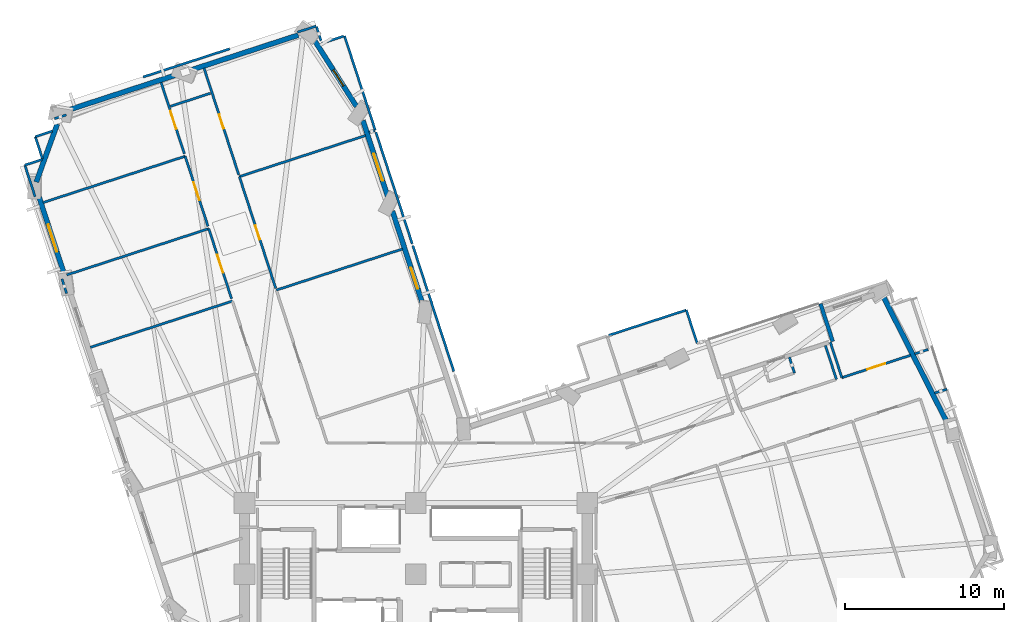
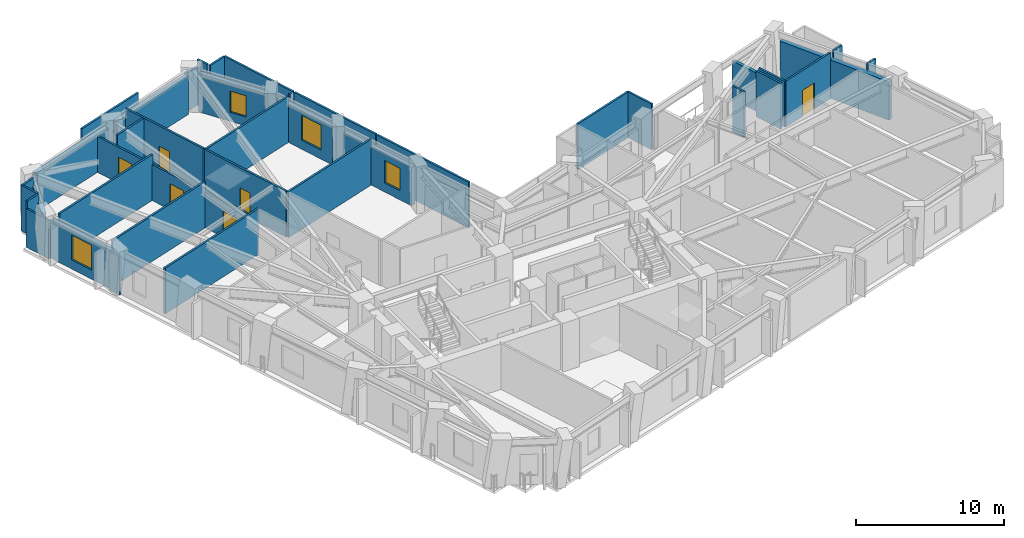
# One storey, part 10 of 16: 42 walls, 6 doors, 4 windows, 10 openings.
"""IFC4 building model written with IfcOpenShell, lengths in metres."""

from ifc_helpers import new_model, si_unit, direction, frame, frame_2d, origin, place, context, subcontext, project, spatial, rectangle, extrude, material, layer, layer_set, type_object, element, fill, save


model = new_model("IFC4")

# Units and contexts
model_context = context("Model", 3, precision=1e-05, world=origin(), true_north=direction((0.0, 1.0)))
body_context = subcontext(model_context, "Body", "Model", "MODEL_VIEW")
ifc_project = project(units=[si_unit("LENGTHUNIT", "METRE"), si_unit("AREAUNIT", "SQUARE_METRE"), si_unit("VOLUMEUNIT", "CUBIC_METRE"), si_unit("PLANEANGLEUNIT", "RADIAN"), si_unit("MASSUNIT", "GRAM", prefix="KILO")], contexts=[model_context])

# Site, building, storey
site_placement = place(None, origin())
site = spatial("IfcSite", under=ifc_project, at=site_placement, CompositionType="ELEMENT")
building_placement = place(site_placement, origin())
building = spatial("IfcBuilding", under=site, at=building_placement, Name="Gaonmaruhae Medical Tower", CompositionType="ELEMENT")
storey_placement = place(building_placement, frame((0.0, 0.0, 100.39990234375)))
storey = spatial("IfcBuildingStorey", under=building, at=storey_placement, Name="L23", CompositionType="ELEMENT", Elevation=100.39990234375)

# Walls
ifc_material_1 = material(Name="Precast concrete C45/55", Category="concrete")
ifc_layer_1 = layer(ifc_material_1, 0.239990234375)
ifc_layer_set_1 = layer_set([ifc_layer_1], Name="Precast concrete C45/55")
wall_type_1 = type_object("IfcWallType", Name="EW-240 Ribbon & Shelter Insulated Precast Wall", PredefinedType="SOLIDWALL", material=ifc_layer_set_1)
wall_1_placement = place(storey_placement, frame((51.072021484375, 26.98095703125, 0.0), z_axis=(0.0, 0.0, 1.0), x_axis=(-0.309774960552, 0.950809904142, 0.0)))
element("IfcWall", 1, at=wall_1_placement, inside=storey, type_object=wall_type_1, Name="L23 Recessed Terrace Enclosure Wall TERR", PredefinedType="SOLIDWALL", context=body_context, shape_type="SweptSolid", body=[
    extrude(rectangle(XDim=2.5, YDim=0.239990234375, at=frame_2d((1.25, 0.0))), origin(), (0.0, 0.0, 1.0), 3.1650390625),
])
ifc_layer_2 = layer(ifc_material_1, 0.320068359375)
ifc_layer_set_2 = layer_set([ifc_layer_2], Name="Precast concrete C45/55")
wall_type_2 = type_object("IfcWallType", Name="EW-320 Lower Precast Masonry-Frame Facade Wall", PredefinedType="SOLIDWALL", material=ifc_layer_set_2)
wall_2_placement = place(storey_placement, frame((54.273193359375, 29.781494140625, 0.0), z_axis=(0.0, 0.0, 1.0), x_axis=(0.451528911485, -0.892256488961, 0.0)))
element("IfcWall", 2, at=wall_2_placement, inside=storey, type_object=wall_type_2, Name="L23 Precast Masonry-Frame Wall E02-E03", PredefinedType="SOLIDWALL", context=body_context, shape_type="SweptSolid", body=[
    extrude(rectangle(XDim=8.837646484375, YDim=0.320068359375, at=frame_2d((4.4189453125, 0.0))), origin(), (0.0, 0.0, 1.0), 3.1650390625),
])

# Wall, opening, window
wall_3_placement = place(storey_placement, frame((23.3251953125, 35.189208984375, 0.0), z_axis=(0.0, 0.0, 1.0), x_axis=(0.309864869001, -0.950780607164, 0.0)))
wall_3 = element("IfcWall", 3, at=wall_3_placement, inside=storey, type_object=wall_type_2, Name="L23 Precast Masonry-Frame Wall NE01-NE02", PredefinedType="SOLIDWALL", context=body_context, shape_type="SweptSolid", body=[
    extrude(rectangle(XDim=6.222900390625, YDim=0.320068359375, at=frame_2d((3.111328125, 0.0))), origin(), (0.0, 0.0, 1.0), 3.1650390625),
])
opening_1_placement = place(wall_3_placement, frame((3.746337890625, 0.0, 0.75)))
opening_1 = element("IfcOpeningElement", 4, at=opening_1_placement, cuts=wall_3, Name="Opening WN-03", PredefinedType="OPENING", context=body_context, shape_type="SweptSolid", body=[
    extrude(rectangle(XDim=1.39990234375, YDim=1.85009765625, at=frame_2d((0.699951171875, 0.925048828125))), frame((0.0, 0.169921875, 0.0), z_axis=(0.0, -1.0, 0.0), x_axis=(1.0, 0.0, 0.0)), (0.0, 0.0, 1.0), 0.340087890625),
])
ifc_material_2 = material(Name="Anodised aluminium and Low-E double glazing", Category="aluminium")
window_type_1 = type_object("IfcWindowType", Name="WN-03 Isolation Ward Punched Window 1400x1850", PartitioningType="SINGLE_PANEL", PredefinedType="WINDOW", material=ifc_material_2)
window_1_placement = place(opening_1_placement, origin())
window_1 = element("IfcWindow", 5, at=window_1_placement, inside=storey, type_object=window_type_1, Name="L23 Modular Facade Window NE01", OverallHeight=1.85009765625, OverallWidth=1.39990234375, PartitioningType="SINGLE_PANEL", PredefinedType="WINDOW", context=body_context, shape_type="SweptSolid", body=[
    extrude(rectangle(XDim=1.39990234375, YDim=1.85009765625, at=frame_2d((0.699951171875, 0.925048828125))), frame((0.0, 0.030029296875, 0.0), z_axis=(0.0, -1.0, 0.0), x_axis=(1.0, 0.0, 0.0)), (0.0, 0.0, 1.0), 0.06005859375),
])
fill(opening_1, window_1)

wall_4_placement = place(storey_placement, frame((21.4619140625, 40.906982421875, 0.0), z_axis=(0.0, 0.0, 1.0), x_axis=(0.309864717436, -0.95078065656, 0.0)))
wall_4 = element("IfcWall", 6, at=wall_4_placement, inside=storey, type_object=wall_type_2, Name="L23 Precast Masonry-Frame Wall NE02-NE03", PredefinedType="SOLIDWALL", context=body_context, shape_type="SweptSolid", body=[
    extrude(rectangle(XDim=5.04736328125, YDim=0.320068359375, at=frame_2d((2.523681640625, 0.0))), origin(), (0.0, 0.0, 1.0), 3.1650390625),
])
opening_2_placement = place(wall_4_placement, frame((2.203125, 0.0, 0.75)))
opening_2 = element("IfcOpeningElement", 7, at=opening_2_placement, cuts=wall_4, Name="Opening WN-04", PredefinedType="OPENING", context=body_context, shape_type="SweptSolid", body=[
    extrude(rectangle(XDim=1.800048828125, YDim=2.050048828125, at=frame_2d((0.89990234375, 1.02490234375))), frame((0.0, 0.169921875, 0.0), z_axis=(0.0, -1.0, 0.0), x_axis=(1.0, 0.0, 0.0)), (0.0, 0.0, 1.0), 0.340087890625),
])
window_type_2 = type_object("IfcWindowType", Name="WN-04 Clinic & Consult Punched Window 1800x2050", PartitioningType="SINGLE_PANEL", PredefinedType="WINDOW", material=ifc_material_2)
window_2_placement = place(opening_2_placement, origin())
window_2 = element("IfcWindow", 8, at=window_2_placement, inside=storey, type_object=window_type_2, Name="L23 Modular Facade Window NE02", OverallHeight=2.050048828125, OverallWidth=1.800048828125, PartitioningType="SINGLE_PANEL", PredefinedType="WINDOW", context=body_context, shape_type="SweptSolid", body=[
    extrude(rectangle(XDim=1.800048828125, YDim=2.050048828125, at=frame_2d((0.89990234375, 1.02490234375))), frame((0.0, 0.030029296875, 0.0), z_axis=(0.0, -1.0, 0.0), x_axis=(1.0, 0.0, 0.0)), (0.0, 0.0, 1.0), 0.06005859375),
])
fill(opening_2, window_2)

wall_5_placement = place(storey_placement, frame((18.306396484375, 46.1162109375, 0.0), z_axis=(0.0, 0.0, 1.0), x_axis=(0.536308601373, -0.844021968964, 0.0)))
wall_5 = element("IfcWall", 9, at=wall_5_placement, inside=storey, type_object=wall_type_2, Name="L23 Precast Masonry-Frame Wall NE03-N01", PredefinedType="SOLIDWALL", context=body_context, shape_type="SweptSolid", body=[
    extrude(rectangle(XDim=5.128662109375, YDim=0.320068359375, at=frame_2d((2.564453125, 0.0))), origin(), (0.0, 0.0, 1.0), 3.1650390625),
])
opening_3_placement = place(wall_5_placement, frame((2.393310546875, 0.0, 0.75)))
opening_3 = element("IfcOpeningElement", 10, at=opening_3_placement, cuts=wall_5, Name="Opening WN-05", PredefinedType="OPENING", context=body_context, shape_type="SweptSolid", body=[
    extrude(rectangle(XDim=1.199951171875, YDim=1.75, at=frame_2d((0.60009765625, 0.875))), frame((0.0, 0.169921875, 0.0), z_axis=(0.0, -1.0, 0.0), x_axis=(1.0, 0.0, 0.0)), (0.0, 0.0, 1.0), 0.340087890625),
])
window_type_3 = type_object("IfcWindowType", Name="WN-05 Support & Staff Punched Window 1200x1750", PartitioningType="SINGLE_PANEL", PredefinedType="WINDOW", material=ifc_material_2)
window_3_placement = place(opening_3_placement, origin())
window_3 = element("IfcWindow", 11, at=window_3_placement, inside=storey, type_object=window_type_3, Name="L23 Modular Facade Window NE03", OverallHeight=1.75, OverallWidth=1.199951171875, PartitioningType="SINGLE_PANEL", PredefinedType="WINDOW", context=body_context, shape_type="SweptSolid", body=[
    extrude(rectangle(XDim=1.199951171875, YDim=1.75, at=frame_2d((0.60009765625, 0.875))), frame((0.0, 0.030029296875, 0.0), z_axis=(0.0, -1.0, 0.0), x_axis=(1.0, 0.0, 0.0)), (0.0, 0.0, 1.0), 0.06005859375),
])
fill(opening_3, window_3)

# Walls
wall_6_placement = place(storey_placement, frame((10.518310546875, 44.04541015625, 0.0), z_axis=(0.0, 0.0, 1.0), x_axis=(0.950785640176, 0.309849425422, 0.0)))
element("IfcWall", 12, at=wall_6_placement, inside=storey, type_object=wall_type_2, Name="L23 Precast Masonry-Frame Wall N01-N02", PredefinedType="SOLIDWALL", context=body_context, shape_type="SweptSolid", body=[
    extrude(rectangle(XDim=7.23095703125, YDim=0.320068359375, at=frame_2d((3.615478515625, 0.0))), origin(), (0.0, 0.0, 1.0), 3.1650390625),
])
wall_7_placement = place(storey_placement, frame((2.698486328125, 41.4970703125, 0.0), z_axis=(0.0, 0.0, 1.0), x_axis=(0.950787487315, 0.309843757345, 0.0)))
element("IfcWall", 13, at=wall_7_placement, inside=storey, type_object=wall_type_2, Name="L23 Precast Masonry-Frame Wall N02-N03", PredefinedType="SOLIDWALL", context=body_context, shape_type="SweptSolid", body=[
    extrude(rectangle(XDim=7.2705078125, YDim=0.320068359375, at=frame_2d((3.63525390625, 0.0))), origin(), (0.0, 0.0, 1.0), 3.1650390625),
])
wall_8_placement = place(storey_placement, frame((0.87841796875, 37.02587890625, 0.0), z_axis=(0.0, 0.0, 1.0), x_axis=(0.340003812236, 0.940424057362, 0.0)))
element("IfcWall", 14, at=wall_8_placement, inside=storey, type_object=wall_type_2, Name="L23 Precast Masonry-Frame Wall N03-W01", PredefinedType="SOLIDWALL", context=body_context, shape_type="SweptSolid", body=[
    extrude(rectangle(XDim=3.8896484375, YDim=0.320068359375, at=frame_2d((1.94482421875, 0.0))), origin(), (0.0, 0.0, 1.0), 3.1650390625),
])

# Wall, opening, window
wall_9_placement = place(storey_placement, frame((2.713134765625, 30.986083984375, 0.0), z_axis=(0.0, 0.0, 1.0), x_axis=(-0.309857036537, 0.950783159773, 0.0)))
wall_9 = element("IfcWall", 15, at=wall_9_placement, inside=storey, type_object=wall_type_2, Name="L23 Precast Masonry-Frame Wall W01-W02", PredefinedType="SOLIDWALL", context=body_context, shape_type="SweptSolid", body=[
    extrude(rectangle(XDim=5.45556640625, YDim=0.320068359375, at=frame_2d((2.727783203125, 0.0))), origin(), (0.0, 0.0, 1.0), 3.1650390625),
])
opening_4_placement = place(wall_9_placement, frame((1.728271484375, 0.0, 0.75)))
opening_4 = element("IfcOpeningElement", 16, at=opening_4_placement, cuts=wall_9, Name="Opening WN-04", PredefinedType="OPENING", context=body_context, shape_type="SweptSolid", body=[
    extrude(rectangle(XDim=1.800048828125, YDim=2.050048828125, at=frame_2d((0.89990234375, 1.02490234375))), frame((0.0, 0.169921875, 0.0), z_axis=(0.0, -1.0, 0.0), x_axis=(1.0, 0.0, 0.0)), (0.0, 0.0, 1.0), 0.340087890625),
])
window_4_placement = place(opening_4_placement, origin())
window_4 = element("IfcWindow", 17, at=window_4_placement, inside=storey, type_object=window_type_2, Name="L23 Modular Facade Window W01", OverallHeight=2.050048828125, OverallWidth=1.800048828125, PartitioningType="SINGLE_PANEL", PredefinedType="WINDOW", context=body_context, shape_type="SweptSolid", body=[
    extrude(rectangle(XDim=1.800048828125, YDim=2.050048828125, at=frame_2d((0.89990234375, 1.02490234375))), frame((0.0, 0.030029296875, 0.0), z_axis=(0.0, -1.0, 0.0), x_axis=(1.0, 0.0, 0.0)), (0.0, 0.0, 1.0), 0.06005859375),
])
fill(opening_4, window_4)

# Walls
ifc_material_3 = material(Name="Gypsum board partition", Category="gypsum")
ifc_layer_3 = layer(ifc_material_3, 0.14990234375)
ifc_layer_set_3 = layer_set([ifc_layer_3], Name="Gypsum board partition")
wall_type_3 = type_object("IfcWallType", Name="PW-150 Rated Clinical Corridor Partition", PredefinedType="PARTITIONING", material=ifc_layer_set_3)
wall_10_placement = place(storey_placement, frame((4.282958984375, 26.60498046875, 0.0), z_axis=(0.0, 0.0, 1.0), x_axis=(0.950798268634, 0.309810671802, 0.0)))
element("IfcWall", 18, at=wall_10_placement, inside=storey, type_object=wall_type_3, Name="L23 Interior Partition L23-WOF15-48", PredefinedType="PARTITIONING", context=body_context, shape_type="SweptSolid", body=[
    extrude(rectangle(XDim=9.415283203125, YDim=0.14990234375, at=frame_2d((4.70751953125, 0.0))), origin(), (0.0, 0.0, 1.0), 3.780029296875),
])
wall_11_placement = place(storey_placement, frame((2.7958984375, 31.1689453125, 0.0), z_axis=(0.0, 0.0, 1.0), x_axis=(0.950788311872, 0.309841227096, 0.0)))
element("IfcWall", 19, at=wall_11_placement, inside=storey, type_object=wall_type_3, Name="L23 Interior Partition L23-WOF16-51", PredefinedType="PARTITIONING", context=body_context, shape_type="SweptSolid", body=[
    extrude(rectangle(XDim=9.41455078125, YDim=0.14990234375, at=frame_2d((4.707275390625, 0.0))), origin(), (0.0, 0.0, 1.0), 3.780029296875),
])

# Wall, opening, door
wall_12_placement = place(storey_placement, frame((11.7470703125, 34.0859375, 0.0), z_axis=(0.0, 0.0, 1.0), x_axis=(0.309891367779, -0.950771970651, 0.0)))
wall_12 = element("IfcWall", 20, at=wall_12_placement, inside=storey, type_object=wall_type_3, Name="L23 Interior Partition L23-WOF16-52", PredefinedType="PARTITIONING", context=body_context, shape_type="SweptSolid", body=[
    extrude(rectangle(XDim=4.640380859375, YDim=0.14990234375, at=frame_2d((2.3203125, 0.0))), origin(), (0.0, 0.0, 1.0), 2.965087890625),
])
opening_5_placement = place(wall_12_placement, frame((1.72021484375, 0.0, 0.0)))
opening_5 = element("IfcOpeningElement", 21, at=opening_5_placement, cuts=wall_12, Name="Opening CD-02", PredefinedType="OPENING", context=body_context, shape_type="SweptSolid", body=[
    extrude(rectangle(XDim=1.199951171875, YDim=2.14990234375, at=frame_2d((0.60009765625, 1.074951171875))), frame((0.0, 0.0849609375, 0.0), z_axis=(0.0, -1.0, 0.0), x_axis=(1.0, 0.0, 0.0)), (0.0, 0.0, 1.0), 0.169921875),
])
ifc_material_4 = material(Name="Antimicrobial laminate timber fire door", Category="wood")
door_type_1 = type_object("IfcDoorType", Name="CD-02 Clinical Treatment & Procedure Door 1200x2150", OperationType="NOTDEFINED", PredefinedType="DOOR", material=ifc_material_4)
door_1_placement = place(opening_5_placement, origin())
door_1 = element("IfcDoor", 22, at=door_1_placement, inside=storey, type_object=door_type_1, Name="L23 Ward Physician Reporting Office Door", OperationType="SINGLE_SWING_LEFT", OverallHeight=2.14990234375, OverallWidth=1.199951171875, PredefinedType="DOOR", context=body_context, shape_type="SweptSolid", body=[
    extrude(rectangle(XDim=1.199951171875, YDim=2.14990234375, at=frame_2d((0.60009765625, 1.074951171875))), frame((0.0, 0.02490234375, 0.0), z_axis=(0.0, -1.0, 0.0), x_axis=(1.0, 0.0, 0.0)), (0.0, 0.0, 1.0), 0.050048828125),
])
fill(opening_5, door_1)

# Walls
wall_13_placement = place(storey_placement, frame((2.79296875, 30.0009765625, 0.0), z_axis=(0.0, 0.0, 1.0), x_axis=(-0.309820989837, 0.950794906516, 0.0)))
element("IfcWall", 23, at=wall_13_placement, inside=storey, type_object=wall_type_3, Name="L23 Interior Partition L23-WOF16-53", PredefinedType="PARTITIONING", context=body_context, shape_type="SweptSolid", body=[
    extrude(rectangle(XDim=0.96142578125, YDim=0.14990234375, at=frame_2d((0.480712890625, 0.0))), origin(), (0.0, 0.0, 1.0), 3.1650390625),
])
wall_14_placement = place(storey_placement, frame((1.30810546875, 35.73193359375, 0.0), z_axis=(0.0, 0.0, 1.0), x_axis=(0.950765222211, 0.309912071778, 0.0)))
element("IfcWall", 24, at=wall_14_placement, inside=storey, type_object=wall_type_3, Name="L23 Interior Partition L23-WOF17-54", PredefinedType="PARTITIONING", context=body_context, shape_type="SweptSolid", body=[
    extrude(rectangle(XDim=9.41552734375, YDim=0.14990234375, at=frame_2d((4.707763671875, 0.0))), origin(), (0.0, 0.0, 1.0), 3.780029296875),
])

# Wall, opening, door
wall_15_placement = place(storey_placement, frame((10.260009765625, 38.64990234375, 0.0), z_axis=(0.0, 0.0, 1.0), x_axis=(0.309891367779, -0.950771970651, 0.0)))
wall_15 = element("IfcWall", 25, at=wall_15_placement, inside=storey, type_object=wall_type_3, Name="L23 Interior Partition L23-WOF17-55", PredefinedType="PARTITIONING", context=body_context, shape_type="SweptSolid", body=[
    extrude(rectangle(XDim=4.640380859375, YDim=0.14990234375, at=frame_2d((2.3203125, 0.0))), origin(), (0.0, 0.0, 1.0), 2.965087890625),
])
opening_6_placement = place(wall_15_placement, frame((1.72021484375, 0.0, 0.0)))
opening_6 = element("IfcOpeningElement", 26, at=opening_6_placement, cuts=wall_15, Name="Opening CD-02", PredefinedType="OPENING", context=body_context, shape_type="SweptSolid", body=[
    extrude(rectangle(XDim=1.199951171875, YDim=2.14990234375, at=frame_2d((0.60009765625, 1.074951171875))), frame((0.0, 0.0849609375, 0.0), z_axis=(0.0, -1.0, 0.0), x_axis=(1.0, 0.0, 0.0)), (0.0, 0.0, 1.0), 0.169921875),
])
door_2_placement = place(opening_6_placement, origin())
door_2 = element("IfcDoor", 27, at=door_2_placement, inside=storey, type_object=door_type_1, Name="L23 Ward Physician Reporting Office Door", OperationType="SINGLE_SWING_RIGHT", OverallHeight=2.14990234375, OverallWidth=1.199951171875, PredefinedType="DOOR", context=body_context, shape_type="SweptSolid", body=[
    extrude(rectangle(XDim=1.199951171875, YDim=2.14990234375, at=frame_2d((0.60009765625, 1.074951171875))), frame((0.0, 0.02490234375, 0.0), z_axis=(0.0, -1.0, 0.0), x_axis=(1.0, 0.0, 0.0)), (0.0, 0.0, 1.0), 0.050048828125),
])
fill(opening_6, door_2)

# Walls
wall_16_placement = place(storey_placement, frame((0.81298828125, 39.883056640625, 0.0), z_axis=(0.0, 0.0, 1.0), x_axis=(0.950680347667, 0.310172333648, 0.0)))
element("IfcWall", 28, at=wall_16_placement, inside=storey, type_object=wall_type_3, Name="L23 Interior Partition L23-WOF18-56", PredefinedType="PARTITIONING", context=body_context, shape_type="SweptSolid", body=[
    extrude(rectangle(XDim=1.13818359375, YDim=0.14990234375, at=frame_2d((0.569091796875, 0.0))), origin(), (0.0, 0.0, 1.0), 3.780029296875),
])
wall_17_placement = place(storey_placement, frame((2.02197265625, 41.013916015625, 0.0), z_axis=(0.0, 0.0, 1.0), x_axis=(0.950635113095, 0.310310943653, 0.0)))
element("IfcWall", 29, at=wall_17_placement, inside=storey, type_object=wall_type_3, Name="L23 Interior Partition L23-WOF18-57", PredefinedType="PARTITIONING", context=body_context, shape_type="SweptSolid", body=[
    extrude(rectangle(XDim=0.79296875, YDim=0.14990234375, at=frame_2d((0.396484375, 0.0))), origin(), (0.0, 0.0, 1.0), 3.1650390625),
])

# Wall, opening, door
wall_18_placement = place(storey_placement, frame((8.7451171875, 43.299072265625, 0.0), z_axis=(0.0, 0.0, 1.0), x_axis=(0.309716291995, -0.950829016424, 0.0)))
wall_18 = element("IfcWall", 30, at=wall_18_placement, inside=storey, type_object=wall_type_3, Name="L23 Interior Partition L23-WOF18-58", PredefinedType="PARTITIONING", context=body_context, shape_type="SweptSolid", body=[
    extrude(rectangle(XDim=4.729736328125, YDim=0.14990234375, at=frame_2d((2.36474609375, 0.0))), origin(), (0.0, 0.0, 1.0), 2.965087890625),
])
opening_7_placement = place(wall_18_placement, frame((1.889892578125, 0.0, 0.0)))
opening_7 = element("IfcOpeningElement", 31, at=opening_7_placement, cuts=wall_18, Name="Opening CD-02", PredefinedType="OPENING", context=body_context, shape_type="SweptSolid", body=[
    extrude(rectangle(XDim=1.199951171875, YDim=2.14990234375, at=frame_2d((0.60009765625, 1.074951171875))), frame((0.0, 0.0849609375, 0.0), z_axis=(0.0, -1.0, 0.0), x_axis=(1.0, 0.0, 0.0)), (0.0, 0.0, 1.0), 0.169921875),
])
door_3_placement = place(opening_7_placement, origin())
door_3 = element("IfcDoor", 32, at=door_3_placement, inside=storey, type_object=door_type_1, Name="L23 Ward Physician Reporting Office Door", OperationType="SINGLE_SWING_RIGHT", OverallHeight=2.14990234375, OverallWidth=1.199951171875, PredefinedType="DOOR", context=body_context, shape_type="SweptSolid", body=[
    extrude(rectangle(XDim=1.199951171875, YDim=2.14990234375, at=frame_2d((0.60009765625, 1.074951171875))), frame((0.0, 0.02490234375, 0.0), z_axis=(0.0, -1.0, 0.0), x_axis=(1.0, 0.0, 0.0)), (0.0, 0.0, 1.0), 0.050048828125),
])
fill(opening_7, door_3)

# Walls
wall_19_placement = place(storey_placement, frame((0.803955078125, 36.10205078125, 0.0), z_axis=(0.0, 0.0, 1.0), x_axis=(-0.309605670743, 0.950865042287, 0.0)))
element("IfcWall", 33, at=wall_19_placement, inside=storey, type_object=wall_type_3, Name="L23 Interior Partition L23-WOF18-59", PredefinedType="PARTITIONING", context=body_context, shape_type="SweptSolid", body=[
    extrude(rectangle(XDim=2.0927734375, YDim=0.14990234375, at=frame_2d((1.04638671875, 0.0))), origin(), (0.0, 0.0, 1.0), 3.1650390625),
])
wall_20_placement = place(storey_placement, frame((0.156005859375, 38.092041015625, 0.0), z_axis=(0.0, 0.0, 1.0), x_axis=(0.950848165102, 0.309657499379, 0.0)))
element("IfcWall", 34, at=wall_20_placement, inside=storey, type_object=wall_type_3, Name="L23 Interior Partition L23-WOF18-60", PredefinedType="PARTITIONING", context=body_context, shape_type="SweptSolid", body=[
    extrude(rectangle(XDim=1.1494140625, YDim=0.14990234375, at=frame_2d((0.57470703125, 0.0))), origin(), (0.0, 0.0, 1.0), 3.780029296875),
])
wall_21_placement = place(storey_placement, frame((1.26611328125, 38.493896484375, 0.0), z_axis=(0.0, 0.0, 1.0), x_axis=(-0.310105960056, 0.950702000386, 0.0)))
element("IfcWall", 35, at=wall_21_placement, inside=storey, type_object=wall_type_3, Name="L23 Interior Partition L23-WOF18-61", PredefinedType="PARTITIONING", context=body_context, shape_type="SweptSolid", body=[
    extrude(rectangle(XDim=1.461181640625, YDim=0.14990234375, at=frame_2d((0.73046875, 0.0))), origin(), (0.0, 0.0, 1.0), 3.780029296875),
])
wall_22_placement = place(storey_placement, frame((36.955078125, 27.365966796875, 0.0), z_axis=(0.0, 0.0, 1.0), x_axis=(0.950816492939, 0.309754736453, 0.0)))
element("IfcWall", 36, at=wall_22_placement, inside=storey, type_object=wall_type_3, Name="L23 Interior Partition L23-IE04-80", PredefinedType="PARTITIONING", context=body_context, shape_type="SweptSolid", body=[
    extrude(rectangle(XDim=5.142822265625, YDim=0.14990234375, at=frame_2d((2.5712890625, 0.0))), origin(), (0.0, 0.0, 1.0), 3.780029296875),
])
wall_23_placement = place(storey_placement, frame((41.844970703125, 28.958984375, 0.0), z_axis=(0.0, 0.0, 1.0), x_axis=(0.310127470462, -0.950694983717, 0.0)))
element("IfcWall", 37, at=wall_23_placement, inside=storey, type_object=wall_type_3, Name="L23 Interior Partition L23-IE04-81", PredefinedType="PARTITIONING", context=body_context, shape_type="SweptSolid", body=[
    extrude(rectangle(XDim=2.199462890625, YDim=0.14990234375, at=frame_2d((1.099609375, 0.0))), origin(), (0.0, 0.0, 1.0), 3.780029296875),
])
wall_24_placement = place(storey_placement, frame((48.662109375, 24.986083984375, 0.0), z_axis=(0.0, 0.0, 1.0), x_axis=(-0.310111547753, 0.950700177738, 0.0)))
element("IfcWall", 38, at=wall_24_placement, inside=storey, type_object=wall_type_3, Name="L23 Interior Partition L23-IE05-86", PredefinedType="PARTITIONING", context=body_context, shape_type="SweptSolid", body=[
    extrude(rectangle(XDim=1.054931640625, YDim=0.14990234375, at=frame_2d((0.52734375, 0.0))), origin(), (0.0, 0.0, 1.0), 3.780029296875),
])
wall_25_placement = place(storey_placement, frame((50.60693359375, 26.72900390625, 0.0), z_axis=(0.0, 0.0, 1.0), x_axis=(0.310080188362, -0.950710406373, 0.0)))
element("IfcWall", 39, at=wall_25_placement, inside=storey, type_object=wall_type_3, Name="L23 Interior Partition L23-IE05-87", PredefinedType="PARTITIONING", context=body_context, shape_type="SweptSolid", body=[
    extrude(rectangle(XDim=2.254150390625, YDim=0.14990234375, at=frame_2d((1.126953125, 0.0))), origin(), (0.0, 0.0, 1.0), 3.780029296875),
])
wall_26_placement = place(storey_placement, frame((57.0791015625, 26.467041015625, 0.0), z_axis=(0.0, 0.0, 1.0), x_axis=(-0.950954739759, -0.309330055005, 0.0)))
element("IfcWall", 40, at=wall_26_placement, inside=storey, type_object=wall_type_3, Name="L23 Interior Partition L23-IE06-92", PredefinedType="PARTITIONING", context=body_context, shape_type="SweptSolid", body=[
    extrude(rectangle(XDim=0.88232421875, YDim=0.14990234375, at=frame_2d((0.441162109375, 0.0))), origin(), (0.0, 0.0, 1.0), 3.780029296875),
])

# Wall, opening, door
wall_27_placement = place(storey_placement, frame((55.97998046875, 26.10888671875, 0.0), z_axis=(0.0, 0.0, 1.0), x_axis=(-0.950778581254, -0.309871085178, 0.0)))
wall_27 = element("IfcWall", 41, at=wall_27_placement, inside=storey, type_object=wall_type_3, Name="L23 Interior Partition L23-IE06-93", PredefinedType="PARTITIONING", context=body_context, shape_type="SweptSolid", body=[
    extrude(rectangle(XDim=4.556396484375, YDim=0.14990234375, at=frame_2d((2.2783203125, 0.0))), origin(), (0.0, 0.0, 1.0), 3.780029296875),
])
opening_8_placement = place(wall_27_placement, frame((1.67822265625, 0.0, 0.0)))
opening_8 = element("IfcOpeningElement", 42, at=opening_8_placement, cuts=wall_27, Name="Opening CD-02", PredefinedType="OPENING", context=body_context, shape_type="SweptSolid", body=[
    extrude(rectangle(XDim=1.199951171875, YDim=2.14990234375, at=frame_2d((0.60009765625, 1.074951171875))), frame((0.0, 0.0849609375, 0.0), z_axis=(0.0, -1.0, 0.0), x_axis=(1.0, 0.0, 0.0)), (0.0, 0.0, 1.0), 0.169921875),
])
door_4_placement = place(opening_8_placement, origin())
door_4 = element("IfcDoor", 43, at=door_4_placement, inside=storey, type_object=door_type_1, Name="L23 Multidisciplinary Clinical Consultation Room Door", OperationType="SINGLE_SWING_LEFT", OverallHeight=2.14990234375, OverallWidth=1.199951171875, PredefinedType="DOOR", context=body_context, shape_type="SweptSolid", body=[
    extrude(rectangle(XDim=1.199951171875, YDim=2.14990234375, at=frame_2d((0.60009765625, 1.074951171875))), frame((0.0, 0.02490234375, 0.0), z_axis=(0.0, -1.0, 0.0), x_axis=(1.0, 0.0, 0.0)), (0.0, 0.0, 1.0), 0.050048828125),
])
fill(opening_8, door_4)

# Walls
wall_28_placement = place(storey_placement, frame((51.64794921875, 24.697021484375, 0.0), z_axis=(0.0, 0.0, 1.0), x_axis=(-0.309861333994, 0.950781759236, 0.0)))
element("IfcWall", 44, at=wall_28_placement, inside=storey, type_object=wall_type_3, Name="L23 Interior Partition L23-IE06-94", PredefinedType="PARTITIONING", context=body_context, shape_type="SweptSolid", body=[
    extrude(rectangle(XDim=2.349609375, YDim=0.14990234375, at=frame_2d((1.1748046875, 0.0))), origin(), (0.0, 0.0, 1.0), 3.780029296875),
])
wall_29_placement = place(storey_placement, frame((16.006103515625, 30.215087890625, 0.0), z_axis=(0.0, 0.0, 1.0), x_axis=(0.950795081027, 0.309820454286, 0.0)))
element("IfcWall", 45, at=wall_29_placement, inside=storey, type_object=wall_type_3, Name="L23 Interior Partition L23-IN01-97", PredefinedType="PARTITIONING", context=body_context, shape_type="SweptSolid", body=[
    extrude(rectangle(XDim=8.365478515625, YDim=0.14990234375, at=frame_2d((4.1826171875, 0.0))), origin(), (0.0, 0.0, 1.0), 3.780029296875),
])
wall_30_placement = place(storey_placement, frame((24.611083984375, 33.01904296875, 0.0), z_axis=(0.0, 0.0, 1.0), x_axis=(0.309853194986, -0.950784411713, 0.0)))
element("IfcWall", 46, at=wall_30_placement, inside=storey, type_object=wall_type_3, Name="L23 Interior Partition L23-IN01-98", PredefinedType="PARTITIONING", context=body_context, shape_type="SweptSolid", body=[
    extrude(rectangle(XDim=8.33935546875, YDim=0.14990234375, at=frame_2d((4.169677734375, 0.0))), origin(), (0.0, 0.0, 1.0), 3.780029296875),
])

# Wall, opening, door
wall_31_placement = place(storey_placement, frame((15.968994140625, 30.3291015625, 0.0), z_axis=(0.0, 0.0, 1.0), x_axis=(-0.309856581724, 0.950783307995, 0.0)))
wall_31 = element("IfcWall", 47, at=wall_31_placement, inside=storey, type_object=wall_type_3, Name="L23 Interior Partition L23-IN02-99", PredefinedType="PARTITIONING", context=body_context, shape_type="SweptSolid", body=[
    extrude(rectangle(XDim=7.400146484375, YDim=0.14990234375, at=frame_2d((3.7001953125, 0.0))), origin(), (0.0, 0.0, 1.0), 3.780029296875),
])
opening_9_placement = place(wall_31_placement, frame((3.239990234375, 0.0, 0.0)))
opening_9 = element("IfcOpeningElement", 48, at=opening_9_placement, cuts=wall_31, Name="Opening UD-01", PredefinedType="OPENING", context=body_context, shape_type="SweptSolid", body=[
    extrude(rectangle(XDim=0.919921875, YDim=2.10009765625, at=frame_2d((0.4599609375, 1.050048828125))), frame((0.0, 0.0849609375, 0.0), z_axis=(0.0, -1.0, 0.0), x_axis=(1.0, 0.0, 0.0)), (0.0, 0.0, 1.0), 0.169921875),
])
ifc_material_5 = material(Name="Powder-coated steel utility door", Category="steel")
door_type_2 = type_object("IfcDoorType", Name="UD-01 Toilet, Utility & Housekeeping Door 920x2100", OperationType="NOTDEFINED", PredefinedType="DOOR", material=ifc_material_5)
door_5_placement = place(opening_9_placement, origin())
door_5 = element("IfcDoor", 49, at=door_5_placement, inside=storey, type_object=door_type_2, Name="L23 Ward Nutrition Pantry Door", OperationType="SINGLE_SWING_RIGHT", OverallHeight=2.10009765625, OverallWidth=0.919921875, PredefinedType="DOOR", context=body_context, shape_type="SweptSolid", body=[
    extrude(rectangle(XDim=0.919921875, YDim=2.10009765625, at=frame_2d((0.4599609375, 1.050048828125))), frame((0.0, 0.02490234375, 0.0), z_axis=(0.0, -1.0, 0.0), x_axis=(1.0, 0.0, 0.0)), (0.0, 0.0, 1.0), 0.050048828125),
])
fill(opening_9, door_5)

# Walls
wall_32_placement = place(storey_placement, frame((13.676025390625, 37.364990234375, 0.0), z_axis=(0.0, 0.0, 1.0), x_axis=(0.950786483754, 0.309846836859, 0.0)))
element("IfcWall", 50, at=wall_32_placement, inside=storey, type_object=wall_type_3, Name="L23 Interior Partition L23-IN02-100", PredefinedType="PARTITIONING", context=body_context, shape_type="SweptSolid", body=[
    extrude(rectangle(XDim=8.365478515625, YDim=0.14990234375, at=frame_2d((4.1826171875, 0.0))), origin(), (0.0, 0.0, 1.0), 3.780029296875),
])
wall_33_placement = place(storey_placement, frame((22.281005859375, 40.1689453125, 0.0), z_axis=(0.0, 0.0, 1.0), x_axis=(0.309856581724, -0.950783307995, 0.0)))
element("IfcWall", 51, at=wall_33_placement, inside=storey, type_object=wall_type_3, Name="L23 Interior Partition L23-IN02-101", PredefinedType="PARTITIONING", context=body_context, shape_type="SweptSolid", body=[
    extrude(rectangle(XDim=7.400146484375, YDim=0.14990234375, at=frame_2d((3.7001953125, 0.0))), origin(), (0.0, 0.0, 1.0), 3.780029296875),
])
wall_34_placement = place(storey_placement, frame((20.303955078125, 46.235107421875, 0.0), z_axis=(0.0, 0.0, 1.0), x_axis=(0.309879596568, -0.950775807239, 0.0)))
element("IfcWall", 52, at=wall_34_placement, inside=storey, type_object=wall_type_3, Name="L23 Interior Partition L23-IN03-102", PredefinedType="PARTITIONING", context=body_context, shape_type="SweptSolid", body=[
    extrude(rectangle(XDim=6.26025390625, YDim=0.14990234375, at=frame_2d((3.130126953125, 0.0))), origin(), (0.0, 0.0, 1.0), 3.780029296875),
])
wall_35_placement = place(storey_placement, frame((22.196044921875, 40.26806640625, 0.0), z_axis=(0.0, 0.0, 1.0), x_axis=(-0.950011920854, -0.312213629162, 0.0)))
element("IfcWall", 53, at=wall_35_placement, inside=storey, type_object=wall_type_3, Name="L23 Interior Partition L23-IN03-103", PredefinedType="PARTITIONING", context=body_context, shape_type="SweptSolid", body=[
    extrude(rectangle(XDim=0.365234375, YDim=0.14990234375, at=frame_2d((0.1826171875, 0.0))), origin(), (0.0, 0.0, 1.0), 3.780029296875),
])

# Wall, opening, door
wall_36_placement = place(storey_placement, frame((13.638916015625, 37.47900390625, 0.0), z_axis=(0.0, 0.0, 1.0), x_axis=(-0.309802259718, 0.950801009609, 0.0)))
wall_36 = element("IfcWall", 54, at=wall_36_placement, inside=storey, type_object=wall_type_3, Name="L23 Interior Partition L23-IN03-104", PredefinedType="PARTITIONING", context=body_context, shape_type="SweptSolid", body=[
    extrude(rectangle(XDim=7.0751953125, YDim=0.14990234375, at=frame_2d((3.53759765625, 0.0))), origin(), (0.0, 0.0, 1.0), 3.780029296875),
])
opening_10_placement = place(wall_36_placement, frame((3.07763671875, 0.0, 0.0)))
opening_10 = element("IfcOpeningElement", 55, at=opening_10_placement, cuts=wall_36, Name="Opening UD-01", PredefinedType="OPENING", context=body_context, shape_type="SweptSolid", body=[
    extrude(rectangle(XDim=0.919921875, YDim=2.10009765625, at=frame_2d((0.4599609375, 1.050048828125))), frame((0.0, 0.0849609375, 0.0), z_axis=(0.0, -1.0, 0.0), x_axis=(1.0, 0.0, 0.0)), (0.0, 0.0, 1.0), 0.169921875),
])
door_6_placement = place(opening_10_placement, origin())
door_6 = element("IfcDoor", 56, at=door_6_placement, inside=storey, type_object=door_type_2, Name="L23 Public Visitor Toilet Door", OperationType="SINGLE_SWING_RIGHT", OverallHeight=2.10009765625, OverallWidth=0.919921875, PredefinedType="DOOR", context=body_context, shape_type="SweptSolid", body=[
    extrude(rectangle(XDim=0.919921875, YDim=2.10009765625, at=frame_2d((0.4599609375, 1.050048828125))), frame((0.0, 0.02490234375, 0.0), z_axis=(0.0, -1.0, 0.0), x_axis=(1.0, 0.0, 0.0)), (0.0, 0.0, 1.0), 0.050048828125),
])
fill(opening_10, door_6)

# Walls
wall_37_placement = place(storey_placement, frame((17.333984375, 46.466064453125, 0.0), z_axis=(0.0, 0.0, 1.0), x_axis=(0.950824715875, 0.309729494368, 0.0)))
element("IfcWall", 57, at=wall_37_placement, inside=storey, type_object=wall_type_3, Name="L23 Interior Partition L23-IN03-105", PredefinedType="PARTITIONING", context=body_context, shape_type="SweptSolid", body=[
    extrude(rectangle(XDim=1.25244140625, YDim=0.14990234375, at=frame_2d((0.626220703125, 0.0))), origin(), (0.0, 0.0, 1.0), 3.1650390625),
])
wall_38_placement = place(storey_placement, frame((18.5400390625, 46.805908203125, 0.0), z_axis=(0.0, 0.0, 1.0), x_axis=(0.309983937788, -0.950741793714, 0.0)))
element("IfcWall", 58, at=wall_38_placement, inside=storey, type_object=wall_type_3, Name="L23 Interior Partition L23-IN03-106", PredefinedType="PARTITIONING", context=body_context, shape_type="SweptSolid", body=[
    extrude(rectangle(XDim=0.916015625, YDim=0.14990234375, at=frame_2d((0.4580078125, 0.0))), origin(), (0.0, 0.0, 1.0), 3.780029296875),
])
wall_39_placement = place(storey_placement, frame((18.8779296875, 45.77001953125, 0.0), z_axis=(0.0, 0.0, 1.0), x_axis=(0.950817221111, 0.309752501262, 0.0)))
element("IfcWall", 59, at=wall_39_placement, inside=storey, type_object=wall_type_3, Name="L23 Interior Partition L23-IN03-107", PredefinedType="PARTITIONING", context=body_context, shape_type="SweptSolid", body=[
    extrude(rectangle(XDim=1.449462890625, YDim=0.14990234375, at=frame_2d((0.724609375, 0.0))), origin(), (0.0, 0.0, 1.0), 3.780029296875),
])
wall_40_placement = place(storey_placement, frame((7.612060546875, 43.64501953125, 0.0), z_axis=(0.0, 0.0, 1.0), x_axis=(0.950751095858, 0.309955406027, 0.0)))
element("IfcWall", 60, at=wall_40_placement, inside=storey, type_object=wall_type_3, Name="L23 Interior Partition L23-RM01-108", PredefinedType="PARTITIONING", context=body_context, shape_type="SweptSolid", body=[
    extrude(rectangle(XDim=5.73974609375, YDim=0.14990234375, at=frame_2d((2.869873046875, 0.0))), origin(), (0.0, 0.0, 1.0), 3.780029296875),
])
wall_41_placement = place(storey_placement, frame((11.85791015625, 42.6201171875, 0.0), z_axis=(0.0, 0.0, 1.0), x_axis=(-0.950767532303, -0.309904984664, 0.0)))
element("IfcWall", 61, at=wall_41_placement, inside=storey, type_object=wall_type_3, Name="L23 Interior Partition L23-RM01-109", PredefinedType="PARTITIONING", context=body_context, shape_type="SweptSolid", body=[
    extrude(rectangle(XDim=2.65576171875, YDim=0.14990234375, at=frame_2d((1.327880859375, 0.0))), origin(), (0.0, 0.0, 1.0), 3.780029296875),
])
wall_42_placement = place(storey_placement, frame((57.491943359375, 23.719970703125, 0.0), z_axis=(0.0, 0.0, 1.0), x_axis=(0.951014330615, 0.309146798405, 0.0)))
element("IfcWall", 62, at=wall_42_placement, inside=storey, type_object=wall_type_3, Name="L23 Interior Partition L23-RM04-114", PredefinedType="PARTITIONING", context=body_context, shape_type="SweptSolid", body=[
    extrude(rectangle(XDim=0.818115234375, YDim=0.14990234375, at=frame_2d((0.4091796875, 0.0))), origin(), (0.0, 0.0, 1.0), 3.780029296875),
])

save(model, "model.ifc")
